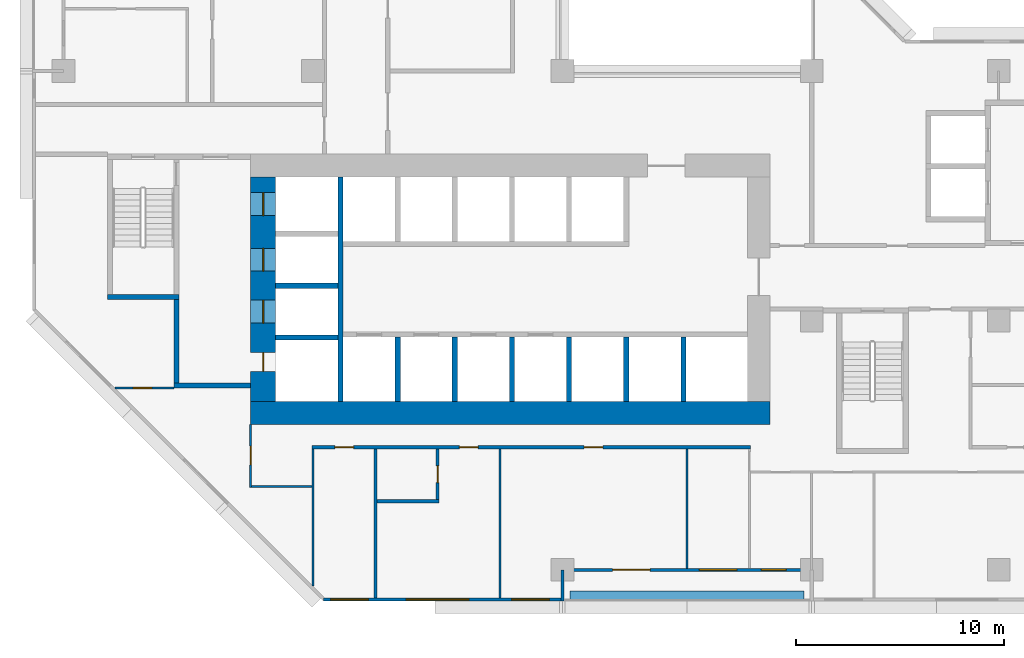
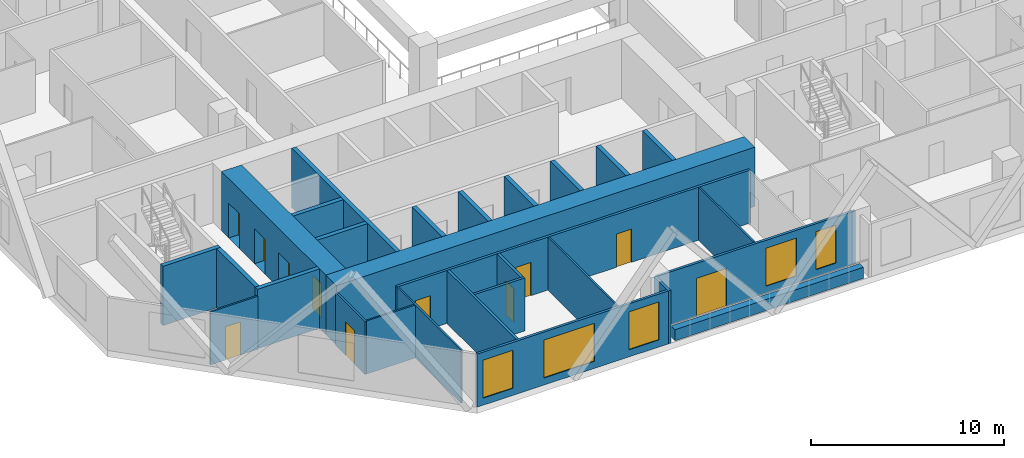
# One storey, part 4 of 16: 28 walls, 11 doors, 5 windows, 16 openings.
"""IFC4 building model written with IfcOpenShell, lengths in metres."""

import ifcopenshell
import ifcopenshell.guid

model = None  # the IFC model being written
_history = None  # IfcOwnerHistory: only IFC2X3 demands one
_inside = {}  # id of a spatial element -> (the spatial element, [elements in it])
_under = {}  # id of a project, library or spatial element -> (it, [spatial elements below it])
_declared = {}  # id of a project -> (the project, [libraries it declares])
_typed = {}  # id of a type object -> (the type object, [elements of that type])
_made_of = {}  # id of a material, layer set ... -> (it, [elements and type objects made of it])


def new_model(schema):
    """Start an empty IFC model of exactly this schema.

    Asked for "IFC4X3", IfcOpenShell would pick the latest addendum, in which some entities
    have other attributes; the version numbers below select the first issue.
    IFC2X3 requires an IfcOwnerHistory on every rooted entity: one is made here for all.
    """
    global model, _history
    if schema == "IFC4X3":
        model = ifcopenshell.file(schema_version=(4, 3, 0, 0))
    else:
        model = ifcopenshell.file(schema=schema)
    _inside.clear()
    _under.clear()
    _declared.clear()
    _typed.clear()
    _made_of.clear()
    _history = None
    if model.schema == "IFC2X3":
        org = make("IfcOrganization", Name="unknown")
        user = make(
            "IfcPersonAndOrganization",
            ThePerson=make("IfcPerson", FamilyName="unknown"),
            TheOrganization=org,
        )
        app = make(
            "IfcApplication",
            ApplicationDeveloper=org,
            Version="unknown",
            ApplicationFullName="unknown",
            ApplicationIdentifier="unknown",
        )
        _history = make(
            "IfcOwnerHistory",
            OwningUser=user,
            OwningApplication=app,
            ChangeAction="ADDED",
            CreationDate=0,
        )
    return model


def make(cls, **values):
    """One entity of the class cls with the attributes given. An attribute that is None is left unset."""
    return model.create_entity(
        cls, **{name: value for name, value in values.items() if value is not None}
    )


def rooted(cls, **values):
    """An entity with a GlobalId (a new one), such as an element, a storey or a relation."""
    return make(cls, GlobalId=ifcopenshell.guid.new(), OwnerHistory=_history, **values)


def si_unit(unit_type, name, prefix=None):
    """IfcSIUnit, for example si_unit("LENGTHUNIT", "METRE", prefix="MILLI")."""
    return make("IfcSIUnit", UnitType=unit_type, Prefix=prefix, Name=name)


def assignment(units):
    """IfcUnitAssignment: the units of a project."""
    return None if units is None else make("IfcUnitAssignment", Units=units)


def point(xyz):
    """IfcCartesianPoint."""
    return None if xyz is None else make("IfcCartesianPoint", Coordinates=xyz)


def direction(xyz):
    """IfcDirection."""
    return None if xyz is None else make("IfcDirection", DirectionRatios=xyz)


def frame(location, z_axis=None, x_axis=None):
    """IfcAxis2Placement3D, a coordinate frame: its origin and axes. An axis left out is left unset."""
    return make(
        "IfcAxis2Placement3D",
        Location=point(location),
        Axis=direction(z_axis),
        RefDirection=direction(x_axis),
    )


def frame_2d(location, x_axis=None):
    """IfcAxis2Placement2D, a coordinate frame in the plane: its origin and x axis."""
    return make(
        "IfcAxis2Placement2D", Location=point(location), RefDirection=direction(x_axis)
    )


def origin():
    """The frame at (0, 0, 0) with its axes left unset."""
    return frame((0.0, 0.0, 0.0))


def place(relative_to, where):
    """IfcLocalPlacement: puts the frame where relative to a parent placement (None: the world)."""
    return make(
        "IfcLocalPlacement", PlacementRelTo=relative_to, RelativePlacement=where
    )


def context(
    kind, dimensions, precision=None, world=None, true_north=None, identifier=None
):
    """IfcGeometricRepresentationContext, for example the 3D "Model" context."""
    return make(
        "IfcGeometricRepresentationContext",
        ContextIdentifier=identifier,
        ContextType=kind,
        CoordinateSpaceDimension=dimensions,
        Precision=precision,
        WorldCoordinateSystem=world,
        TrueNorth=true_north,
    )


def subcontext(parent, identifier, kind, view, scale=None):
    """IfcGeometricRepresentationSubContext, for example "Body" below "Model"."""
    return make(
        "IfcGeometricRepresentationSubContext",
        ContextIdentifier=identifier,
        ContextType=kind,
        ParentContext=parent,
        TargetScale=scale,
        TargetView=view,
    )


def project(units=None, contexts=None):
    """IfcProject with its units and contexts."""
    return rooted(
        "IfcProject",
        Name="project",
        RepresentationContexts=contexts,
        UnitsInContext=assignment(units),
    )


def spatial(cls, under=None, at=None, **own):
    """A site, building, storey or space (cls), placed at a placement, below another one or the project."""
    s = rooted(cls, ObjectPlacement=at, **own)
    if under is not None:
        _under.setdefault(under.id(), (under, []))[1].append(s)
    return s


def profile(cls, at=None, kind="AREA", **sizes):
    """A parametric profile (cls). Its sizes go by their IFC names, for example OverallWidth=200.0."""
    return make(cls, ProfileType=kind, Position=at, **sizes)


def rectangle(**sizes):
    """IfcRectangleProfileDef."""
    return profile("IfcRectangleProfileDef", **sizes)


def extrude(swept, where, along, depth):
    """IfcExtrudedAreaSolid: the profile swept, set in the frame where, extruded along a direction by depth."""
    return make(
        "IfcExtrudedAreaSolid",
        SweptArea=swept,
        Position=where,
        ExtrudedDirection=direction(along),
        Depth=depth,
    )


def shape(context_of_items, identifier, shape_type, items):
    """IfcShapeRepresentation: the items that make up one representation, for example the "Body"."""
    return make(
        "IfcShapeRepresentation",
        ContextOfItems=context_of_items,
        RepresentationIdentifier=identifier,
        RepresentationType=shape_type,
        Items=items,
    )


def material(Name=None, Category=None):
    """IfcMaterial."""
    return make("IfcMaterial", Name=Name, Category=Category)


def layer(
    of_material, thickness, ventilated=None, Name=None, Category=None, Priority=None
):
    """IfcMaterialLayer: one layer of a wall or slab, of a material (None: an air gap)."""
    return make(
        "IfcMaterialLayer",
        Material=of_material,
        LayerThickness=thickness,
        IsVentilated=ventilated,
        Name=Name,
        Category=Category,
        Priority=Priority,
    )


def layer_set(layers, Name=None):
    """IfcMaterialLayerSet."""
    return make("IfcMaterialLayerSet", MaterialLayers=layers, LayerSetName=Name)


def made_of(thing, what):
    """Note that an element or type object is made of a material, layer set ...; save() writes the relation."""
    if what is not None:
        _made_of.setdefault(what.id(), (what, []))[1].append(thing)
    return thing


def type_object(cls, material=None, **own):
    """A type object (cls), such as IfcWallType, which elements share."""
    return made_of(rooted(cls, **own), material)


def element(
    cls,
    number,
    at=None,
    inside=None,
    cuts=None,
    type_object=None,
    material=None,
    context=None,
    identifier="Body",
    shape_type=None,
    held_by="IfcProductDefinitionShape",
    body=None,
    shapes=None,
    **own,
):
    """One element of the class cls, such as IfcWall. Its Tag is "e" and its number.

    at: its placement. inside: the storey or other place that contains it. cuts: it is an
    opening in that element (IfcRelVoidsElement). A single representation is given by context,
    identifier, shape_type and body (its items); several are given by shapes. held_by: the class
    of the entity that holds the representations. save() writes the other relations.
    """
    e = rooted(cls, Tag="e%d" % number, ObjectPlacement=at, **own)
    if body is not None:
        shapes = [shape(context, identifier, shape_type, body)]
    if shapes is not None:
        e.Representation = make(held_by, Representations=shapes)
    if inside is not None:
        _inside.setdefault(inside.id(), (inside, []))[1].append(e)
    if cuts is not None:
        rooted(
            "IfcRelVoidsElement", RelatingBuildingElement=cuts, RelatedOpeningElement=e
        )
    if type_object is not None:
        _typed.setdefault(type_object.id(), (type_object, []))[1].append(e)
    return made_of(e, material)


def fill(opening, filler):
    """IfcRelFillsElement: the door or window that sits in an opening."""
    return rooted(
        "IfcRelFillsElement",
        RelatingOpeningElement=opening,
        RelatedBuildingElement=filler,
    )


def aggregate(whole, parts):
    """IfcRelAggregates: a whole, such as a stair, and the parts it consists of."""
    return rooted("IfcRelAggregates", RelatingObject=whole, RelatedObjects=parts)


def save(model, path):
    """Write the relations noted so far, then the file.

    IfcRelAggregates (storeys below a building ...), IfcRelContainedInSpatialStructure (elements
    in a storey), IfcRelDefinesByType, IfcRelAssociatesMaterial and IfcRelDeclares: one each for
    every whole, place, type object, material and project.
    """
    for whole, parts in _under.values():
        aggregate(whole, parts)
    for where, things in _inside.values():
        rooted(
            "IfcRelContainedInSpatialStructure",
            RelatedElements=things,
            RelatingStructure=where,
        )
    for kind, things in _typed.values():
        rooted("IfcRelDefinesByType", RelatedObjects=things, RelatingType=kind)
    for what, things in _made_of.values():
        rooted("IfcRelAssociatesMaterial", RelatedObjects=things, RelatingMaterial=what)
    for by, libraries in _declared.values():
        rooted("IfcRelDeclares", RelatingContext=by, RelatedDefinitions=libraries)
    model.write(path)


model = new_model("IFC4")

# Units and contexts
model_context = context("Model", 3, precision=1e-05, world=origin(), true_north=direction((0.0, 1.0)))
body_context = subcontext(model_context, "Body", "Model", "MODEL_VIEW")
ifc_project = project(units=[si_unit("LENGTHUNIT", "METRE"), si_unit("AREAUNIT", "SQUARE_METRE"), si_unit("VOLUMEUNIT", "CUBIC_METRE"), si_unit("PLANEANGLEUNIT", "RADIAN"), si_unit("MASSUNIT", "GRAM", prefix="KILO")], contexts=[model_context])

# Site, building, storey
site_placement = place(None, origin())
site = spatial("IfcSite", under=ifc_project, at=site_placement, CompositionType="ELEMENT")
building_placement = place(site_placement, origin())
building = spatial("IfcBuilding", under=site, at=building_placement, Name="Chenar Terraces", CompositionType="ELEMENT")
storey_placement = place(building_placement, frame((0.0, 0.0, 78.89990234375)))
storey = spatial("IfcBuildingStorey", under=building, at=storey_placement, Name="L17", CompositionType="ELEMENT", Elevation=78.89990234375)

# Wall
ifc_material_1 = material(Name="Concrete C70/85", Category="concrete")
ifc_layer_1 = layer(ifc_material_1, 1.10009765625)
ifc_layer_set_1 = layer_set([ifc_layer_1], Name="Concrete C70/85")
wall_type_1 = type_object("IfcWallType", Name="Core wall 1100 Concrete C70/85", PredefinedType="SHEAR", material=ifc_layer_set_1)
wall_1_placement = place(storey_placement, frame((9.0, 7.550048828125, 0.0), z_axis=(0.0, 0.0, 1.0), x_axis=(1.0, 0.0, 0.0)))
element("IfcWall", 1, at=wall_1_placement, inside=storey, type_object=wall_type_1, Name="Core wall S L17", PredefinedType="SHEAR", context=body_context, shape_type="SweptSolid", body=[
    extrude(rectangle(XDim=25.0, YDim=1.10009765625, at=frame_2d((12.5, 0.0))), origin(), (0.0, 0.0, 1.0), 3.75),
])

# Wall, openings, doors
ifc_material_2 = material(Name="Concrete C70/85", Category="concrete")
ifc_layer_2 = layer(ifc_material_2, 1.199951171875)
ifc_layer_set_2 = layer_set([ifc_layer_2], Name="Concrete C70/85")
wall_type_2 = type_object("IfcWallType", Name="Core wall 1200 Concrete C70/85", PredefinedType="SHEAR", material=ifc_layer_set_2)
wall_2_placement = place(storey_placement, frame((9.60009765625, 8.10009765625, 0.0), z_axis=(0.0, 0.0, 1.0), x_axis=(0.0, 1.0, 0.0)))
wall_2 = element("IfcWall", 2, at=wall_2_placement, inside=storey, type_object=wall_type_2, Name="Core wall W L17", PredefinedType="SHEAR", context=body_context, shape_type="SweptSolid", body=[
    extrude(rectangle(XDim=10.7998046875, YDim=1.199951171875, at=frame_2d((5.39990234375, 0.0))), origin(), (0.0, 0.0, 1.0), 3.75),
])
opening_1_placement = place(wall_2_placement, frame((3.77490234375, 0.0, 0.0)))
opening_1 = element("IfcOpeningElement", 3, at=opening_1_placement, cuts=wall_2, Name="Opening DL17-LD5", PredefinedType="OPENING", context=body_context, shape_type="SweptSolid", body=[
    extrude(rectangle(XDim=1.10009765625, YDim=2.199951171875, at=frame_2d((0.550048828125, 1.10009765625))), frame((0.0, 0.60986328125, 0.0), z_axis=(0.0, -1.0, 0.0), x_axis=(1.0, 0.0, 0.0)), (0.0, 0.0, 1.0), 1.219970703125),
])
opening_2_placement = place(wall_2_placement, frame((6.27490234375, 0.0, 0.0)))
opening_2 = element("IfcOpeningElement", 4, at=opening_2_placement, cuts=wall_2, Name="Opening DL17-LD6", PredefinedType="OPENING", context=body_context, shape_type="SweptSolid", body=[
    extrude(rectangle(XDim=1.10009765625, YDim=2.199951171875, at=frame_2d((0.550048828125, 1.10009765625))), frame((0.0, 0.60986328125, 0.0), z_axis=(0.0, -1.0, 0.0), x_axis=(1.0, 0.0, 0.0)), (0.0, 0.0, 1.0), 1.219970703125),
])
opening_3_placement = place(wall_2_placement, frame((8.949951171875, 0.0, 0.0)))
opening_3 = element("IfcOpeningElement", 5, at=opening_3_placement, cuts=wall_2, Name="Opening DL17-LD7", PredefinedType="OPENING", context=body_context, shape_type="SweptSolid", body=[
    extrude(rectangle(XDim=1.10009765625, YDim=2.199951171875, at=frame_2d((0.550048828125, 1.10009765625))), frame((0.0, 0.60986328125, 0.0), z_axis=(0.0, -1.0, 0.0), x_axis=(1.0, 0.0, 0.0)), (0.0, 0.0, 1.0), 1.219970703125),
])
opening_4_placement = place(wall_2_placement, frame((1.449951171875, 0.0, 0.0)))
opening_4 = element("IfcOpeningElement", 6, at=opening_4_placement, cuts=wall_2, Name="Opening DL17-C4", PredefinedType="OPENING", context=body_context, shape_type="SweptSolid", body=[
    extrude(rectangle(XDim=0.89990234375, YDim=2.10009765625, at=frame_2d((0.449951171875, 1.050048828125))), frame((0.0, 0.60986328125, 0.0), z_axis=(0.0, -1.0, 0.0), x_axis=(1.0, 0.0, 0.0)), (0.0, 0.0, 1.0), 1.219970703125),
])
ifc_material_3 = material(Name="Stainless steel", Category="steel")
door_type_1 = type_object("IfcDoorType", Name="Lift landing door 1100 x 2200 sliding", OperationType="DOUBLE_DOOR_SLIDING", PredefinedType="DOOR", material=ifc_material_3)
door_1_placement = place(opening_1_placement, origin())
door_1 = element("IfcDoor", 7, at=door_1_placement, inside=storey, type_object=door_type_1, Name="Landing door S1", OperationType="DOUBLE_DOOR_SLIDING", OverallHeight=2.199951171875, OverallWidth=1.10009765625, PredefinedType="DOOR", context=body_context, shape_type="SweptSolid", body=[
    extrude(rectangle(XDim=1.10009765625, YDim=2.199951171875, at=frame_2d((0.550048828125, 1.10009765625))), frame((0.0, 0.02490234375, 0.0), z_axis=(0.0, -1.0, 0.0), x_axis=(1.0, 0.0, 0.0)), (0.0, 0.0, 1.0), 0.050048828125),
])
fill(opening_1, door_1)
door_2_placement = place(opening_2_placement, origin())
door_2 = element("IfcDoor", 8, at=door_2_placement, inside=storey, type_object=door_type_1, Name="Landing door F1", OperationType="DOUBLE_DOOR_SLIDING", OverallHeight=2.199951171875, OverallWidth=1.10009765625, PredefinedType="DOOR", context=body_context, shape_type="SweptSolid", body=[
    extrude(rectangle(XDim=1.10009765625, YDim=2.199951171875, at=frame_2d((0.550048828125, 1.10009765625))), frame((0.0, 0.02490234375, 0.0), z_axis=(0.0, -1.0, 0.0), x_axis=(1.0, 0.0, 0.0)), (0.0, 0.0, 1.0), 0.050048828125),
])
fill(opening_2, door_2)
door_3_placement = place(opening_3_placement, origin())
door_3 = element("IfcDoor", 9, at=door_3_placement, inside=storey, type_object=door_type_1, Name="Landing door F2", OperationType="DOUBLE_DOOR_SLIDING", OverallHeight=2.199951171875, OverallWidth=1.10009765625, PredefinedType="DOOR", context=body_context, shape_type="SweptSolid", body=[
    extrude(rectangle(XDim=1.10009765625, YDim=2.199951171875, at=frame_2d((0.550048828125, 1.10009765625))), frame((0.0, 0.02490234375, 0.0), z_axis=(0.0, -1.0, 0.0), x_axis=(1.0, 0.0, 0.0)), (0.0, 0.0, 1.0), 0.050048828125),
])
fill(opening_3, door_3)
ifc_material_4 = material(Name="Steel-framed fire-resisting door leaf", Category="steel")
door_type_2 = type_object("IfcDoorType", Name="Riser fire door FD60 900 x 2100", OperationType="SINGLE_SWING_LEFT", PredefinedType="DOOR", material=ifc_material_4)
door_4_placement = place(opening_4_placement, frame((0.89990234375, 0.0, 0.0), z_axis=(0.0, 0.0, 1.0), x_axis=(-1.0, 0.0, 0.0)))
door_4 = element("IfcDoor", 10, at=door_4_placement, inside=storey, type_object=door_type_2, Name="Riser door DL17-C4", OperationType="SINGLE_SWING_RIGHT", OverallHeight=2.10009765625, OverallWidth=0.89990234375, PredefinedType="DOOR", context=body_context, shape_type="SweptSolid", body=[
    extrude(rectangle(XDim=0.89990234375, YDim=2.10009765625, at=frame_2d((0.449951171875, 1.050048828125))), frame((0.0, 0.02490234375, 0.0), z_axis=(0.0, -1.0, 0.0), x_axis=(1.0, 0.0, 0.0)), (0.0, 0.0, 1.0), 0.050048828125),
])
fill(opening_4, door_4)

# Walls
ifc_material_5 = material(Name="Concrete C70/85", Category="concrete")
ifc_layer_3 = layer(ifc_material_5, 0.25)
ifc_layer_set_3 = layer_set([ifc_layer_3], Name="Concrete C70/85")
wall_type_3 = type_object("IfcWallType", Name="Core wall 250 Concrete C70/85", PredefinedType="SHEAR", material=ifc_layer_set_3)
wall_3_placement = place(storey_placement, frame((13.324951171875, 8.10009765625, 0.0), z_axis=(0.0, 0.0, 1.0), x_axis=(0.0, 1.0, 0.0)))
element("IfcWall", 11, at=wall_3_placement, inside=storey, type_object=wall_type_3, Name="Core wall WI L17", PredefinedType="SHEAR", context=body_context, shape_type="SweptSolid", body=[
    extrude(rectangle(XDim=10.7998046875, YDim=0.25, at=frame_2d((5.39990234375, 0.0))), origin(), (0.0, 0.0, 1.0), 3.75),
])
for number, where, z_axis, x_axis, name in (
    (12, (10.199951171875, 11.175048828125, 0.0), (0.0, 0.0, 1.0), (1.0, 0.0, 0.0), "Core wall HW0 L17"),
    (13, (10.199951171875, 13.675048828125, 0.0), (0.0, 0.0, 1.0), (1.0, 0.0, 0.0), "Core wall HW1 L17"),
):
    element("IfcWall", number, at=place(storey_placement, frame(where, z_axis=z_axis, x_axis=x_axis)), inside=storey, type_object=wall_type_3, Name=name, PredefinedType="SHEAR", context=body_context, shape_type="SweptSolid", body=[
        extrude(rectangle(XDim=3.0, YDim=0.25, at=frame_2d((1.5, 0.0))), origin(), (0.0, 0.0, 1.0), 3.75),
    ])
for number, where, z_axis, x_axis, name in (
    (14, (16.074951171875, 8.10009765625, 0.0), (0.0, 0.0, 1.0), (0.0, 1.0, 0.0), "Core wall SS0 L17"),
    (15, (18.824951171875, 8.10009765625, 0.0), (0.0, 0.0, 1.0), (0.0, 1.0, 0.0), "Core wall SS1 L17"),
    (16, (21.574951171875, 8.10009765625, 0.0), (0.0, 0.0, 1.0), (0.0, 1.0, 0.0), "Core wall SS2 L17"),
    (17, (24.324951171875, 8.10009765625, 0.0), (0.0, 0.0, 1.0), (0.0, 1.0, 0.0), "Core wall SS3 L17"),
    (18, (27.074951171875, 8.10009765625, 0.0), (0.0, 0.0, 1.0), (0.0, 1.0, 0.0), "Core wall SS4 L17"),
    (19, (29.824951171875, 8.10009765625, 0.0), (0.0, 0.0, 1.0), (0.0, 1.0, 0.0), "Core wall SS5 L17"),
):
    element("IfcWall", number, at=place(storey_placement, frame(where, z_axis=z_axis, x_axis=x_axis)), inside=storey, type_object=wall_type_3, Name=name, PredefinedType="SHEAR", context=body_context, shape_type="SweptSolid", body=[
        extrude(rectangle(XDim=3.099853515625, YDim=0.25, at=frame_2d((1.5498046875, 0.0))), origin(), (0.0, 0.0, 1.0), 3.75),
    ])
wall_4_placement = place(storey_placement, frame((2.10009765625, 13.125, 0.0), z_axis=(0.0, 0.0, 1.0), x_axis=(1.0, 0.0, 0.0)))
element("IfcWall", 20, at=wall_4_placement, inside=storey, type_object=wall_type_3, Name="Core wall ST1_S L17", PredefinedType="SHEAR", context=body_context, shape_type="SweptSolid", body=[
    extrude(rectangle(XDim=3.449951171875, YDim=0.25, at=frame_2d((1.72509765625, 0.0))), origin(), (0.0, 0.0, 1.0), 3.75),
])
wall_5_placement = place(storey_placement, frame((5.300048828125, 8.875, 0.0), z_axis=(0.0, 0.0, 1.0), x_axis=(1.0, 0.0, 0.0)))
element("IfcWall", 21, at=wall_5_placement, inside=storey, type_object=wall_type_3, Name="Core wall FFL_S L17", PredefinedType="SHEAR", context=body_context, shape_type="SweptSolid", body=[
    extrude(rectangle(XDim=3.699951171875, YDim=0.25, at=frame_2d((1.85009765625, 0.0))), origin(), (0.0, 0.0, 1.0), 3.75),
])
wall_6_placement = place(storey_placement, frame((5.425048828125, 9.0, 0.0), z_axis=(0.0, 0.0, 1.0), x_axis=(0.0, 1.0, 0.0)))
element("IfcWall", 22, at=wall_6_placement, inside=storey, type_object=wall_type_3, Name="Core wall FFL_W L17", PredefinedType="SHEAR", context=body_context, shape_type="SweptSolid", body=[
    extrude(rectangle(XDim=4.0, YDim=0.25, at=frame_2d((2.0, 0.0))), origin(), (0.0, 0.0, 1.0), 3.75),
])

# Wall, openings, windows
ifc_material_6 = material(Name="Aluminium framed glazing", Category="aluminium")
ifc_layer_4 = layer(ifc_material_6, 0.14990234375)
ifc_layer_set_4 = layer_set([ifc_layer_4], Name="Aluminium framed glazing")
wall_type_4 = type_object("IfcWallType", Name="Glazed flush facade wall 150", PredefinedType="SOLIDWALL", material=ifc_layer_set_4)
wall_7_placement = place(storey_placement, frame((12.5, -1.425048828125, 0.0), z_axis=(0.0, 0.0, 1.0), x_axis=(1.0, 0.0, 0.0)))
wall_7 = element("IfcWall", 23, at=wall_7_placement, inside=storey, type_object=wall_type_4, Name="Glazed flush facade wall", PredefinedType="SOLIDWALL", context=body_context, shape_type="SweptSolid", body=[
    extrude(rectangle(XDim=11.425048828125, YDim=0.14990234375, at=frame_2d((5.71240234375, 0.0))), origin(), (0.0, 0.0, 1.0), 3.35009765625),
])
opening_5_placement = place(wall_7_placement, frame((0.35009765625, 0.0, 0.449951171875)))
opening_5 = element("IfcOpeningElement", 24, at=opening_5_placement, cuts=wall_7, Name="Opening W180x240", PredefinedType="OPENING", context=body_context, shape_type="SweptSolid", body=[
    extrude(rectangle(XDim=1.800048828125, YDim=2.39990234375, at=frame_2d((0.89990234375, 1.199951171875))), frame((0.0, 0.0849609375, 0.0), z_axis=(0.0, -1.0, 0.0), x_axis=(1.0, 0.0, 0.0)), (0.0, 0.0, 1.0), 0.169921875),
])
opening_6_placement = place(wall_7_placement, frame((4.0, 0.0, 0.449951171875)))
opening_6 = element("IfcOpeningElement", 25, at=opening_6_placement, cuts=wall_7, Name="Opening W300x240", PredefinedType="OPENING", context=body_context, shape_type="SweptSolid", body=[
    extrude(rectangle(XDim=3.0, YDim=2.39990234375, at=frame_2d((1.5, 1.199951171875))), frame((0.0, 0.0849609375, 0.0), z_axis=(0.0, -1.0, 0.0), x_axis=(1.0, 0.0, 0.0)), (0.0, 0.0, 1.0), 0.169921875),
])
opening_7_placement = place(wall_7_placement, frame((9.0625, 0.0, 0.449951171875)))
opening_7 = element("IfcOpeningElement", 26, at=opening_7_placement, cuts=wall_7, Name="Opening W180x240", PredefinedType="OPENING", context=body_context, shape_type="SweptSolid", body=[
    extrude(rectangle(XDim=1.800048828125, YDim=2.39990234375, at=frame_2d((0.89990234375, 1.199951171875))), frame((0.0, 0.0849609375, 0.0), z_axis=(0.0, -1.0, 0.0), x_axis=(1.0, 0.0, 0.0)), (0.0, 0.0, 1.0), 0.169921875),
])
ifc_material_7 = material(Name="Low emissivity double glazing, aluminium frame", Category="aluminium")
window_type_1 = type_object("IfcWindowType", Name="Fixed light 1800 x 2400", PartitioningType="SINGLE_PANEL", PredefinedType="WINDOW", material=ifc_material_7)
window_1_placement = place(opening_5_placement, origin())
window_1 = element("IfcWindow", 27, at=window_1_placement, inside=storey, type_object=window_type_1, Name="Window", OverallHeight=2.39990234375, OverallWidth=1.800048828125, PartitioningType="SINGLE_PANEL", PredefinedType="WINDOW", context=body_context, shape_type="SweptSolid", body=[
    extrude(rectangle(XDim=1.800048828125, YDim=2.39990234375, at=frame_2d((0.89990234375, 1.199951171875))), frame((0.0, 0.030029296875, 0.0), z_axis=(0.0, -1.0, 0.0), x_axis=(1.0, 0.0, 0.0)), (0.0, 0.0, 1.0), 0.06005859375),
])
fill(opening_5, window_1)
window_2_placement = place(opening_7_placement, origin())
window_2 = element("IfcWindow", 28, at=window_2_placement, inside=storey, type_object=window_type_1, Name="Window", OverallHeight=2.39990234375, OverallWidth=1.800048828125, PartitioningType="SINGLE_PANEL", PredefinedType="WINDOW", context=body_context, shape_type="SweptSolid", body=[
    extrude(rectangle(XDim=1.800048828125, YDim=2.39990234375, at=frame_2d((0.89990234375, 1.199951171875))), frame((0.0, 0.030029296875, 0.0), z_axis=(0.0, -1.0, 0.0), x_axis=(1.0, 0.0, 0.0)), (0.0, 0.0, 1.0), 0.06005859375),
])
fill(opening_7, window_2)
ifc_material_8 = material(Name="Low emissivity double glazing, aluminium frame", Category="aluminium")
window_type_2 = type_object("IfcWindowType", Name="Fixed light 3000 x 2400", PartitioningType="SINGLE_PANEL", PredefinedType="WINDOW", material=ifc_material_8)
window_3_placement = place(opening_6_placement, origin())
window_3 = element("IfcWindow", 29, at=window_3_placement, inside=storey, type_object=window_type_2, Name="Window", OverallHeight=2.39990234375, OverallWidth=3.0, PartitioningType="SINGLE_PANEL", PredefinedType="WINDOW", context=body_context, shape_type="SweptSolid", body=[
    extrude(rectangle(XDim=3.0, YDim=2.39990234375, at=frame_2d((1.5, 1.199951171875))), frame((0.0, 0.030029296875, 0.0), z_axis=(0.0, -1.0, 0.0), x_axis=(1.0, 0.0, 0.0)), (0.0, 0.0, 1.0), 0.06005859375),
])
fill(opening_6, window_3)

# Wall, openings, windows, door
ifc_material_9 = material(Name="Aluminium framed glazing", Category="aluminium")
ifc_layer_5 = layer(ifc_material_9, 0.14990234375)
ifc_layer_set_5 = layer_set([ifc_layer_5], Name="Aluminium framed glazing")
wall_type_5 = type_object("IfcWallType", Name="Glazed loggia back wall 150", PredefinedType="SOLIDWALL", material=ifc_layer_set_5)
wall_8_placement = place(storey_placement, frame((24.074951171875, 0.0, 0.0), z_axis=(0.0, 0.0, 1.0), x_axis=(1.0, 0.0, 0.0)))
wall_8 = element("IfcWall", 30, at=wall_8_placement, inside=storey, type_object=wall_type_5, Name="Glazed loggia back wall", PredefinedType="SOLIDWALL", context=body_context, shape_type="SweptSolid", body=[
    extrude(rectangle(XDim=11.85009765625, YDim=0.14990234375, at=frame_2d((5.925048828125, 0.0))), origin(), (0.0, 0.0, 1.0), 3.35009765625),
])
opening_8_placement = place(wall_8_placement, frame((2.35009765625, 0.0, 0.0)))
opening_8 = element("IfcOpeningElement", 31, at=opening_8_placement, cuts=wall_8, Name="Opening DL17-G5", PredefinedType="OPENING", context=body_context, shape_type="SweptSolid", body=[
    extrude(rectangle(XDim=1.800048828125, YDim=2.39990234375, at=frame_2d((0.89990234375, 1.199951171875))), frame((0.0, 0.0849609375, 0.0), z_axis=(0.0, -1.0, 0.0), x_axis=(1.0, 0.0, 0.0)), (0.0, 0.0, 1.0), 0.169921875),
])
opening_9_placement = place(wall_8_placement, frame((6.52490234375, 0.0, 0.449951171875)))
opening_9 = element("IfcOpeningElement", 32, at=opening_9_placement, cuts=wall_8, Name="Opening W180x240", PredefinedType="OPENING", context=body_context, shape_type="SweptSolid", body=[
    extrude(rectangle(XDim=1.800048828125, YDim=2.39990234375, at=frame_2d((0.89990234375, 1.199951171875))), frame((0.0, 0.0849609375, 0.0), z_axis=(0.0, -1.0, 0.0), x_axis=(1.0, 0.0, 0.0)), (0.0, 0.0, 1.0), 0.169921875),
])
opening_10_placement = place(wall_8_placement, frame((9.5, 0.0, 0.449951171875)))
opening_10 = element("IfcOpeningElement", 33, at=opening_10_placement, cuts=wall_8, Name="Opening W120x240", PredefinedType="OPENING", context=body_context, shape_type="SweptSolid", body=[
    extrude(rectangle(XDim=1.199951171875, YDim=2.39990234375, at=frame_2d((0.60009765625, 1.199951171875))), frame((0.0, 0.0849609375, 0.0), z_axis=(0.0, -1.0, 0.0), x_axis=(1.0, 0.0, 0.0)), (0.0, 0.0, 1.0), 0.169921875),
])
ifc_material_10 = material(Name="Low emissivity double glazing, aluminium frame", Category="aluminium")
window_type_3 = type_object("IfcWindowType", Name="Fixed light 1200 x 2400", PartitioningType="SINGLE_PANEL", PredefinedType="WINDOW", material=ifc_material_10)
window_4_placement = place(opening_10_placement, origin())
window_4 = element("IfcWindow", 34, at=window_4_placement, inside=storey, type_object=window_type_3, Name="Window", OverallHeight=2.39990234375, OverallWidth=1.199951171875, PartitioningType="SINGLE_PANEL", PredefinedType="WINDOW", context=body_context, shape_type="SweptSolid", body=[
    extrude(rectangle(XDim=1.199951171875, YDim=2.39990234375, at=frame_2d((0.60009765625, 1.199951171875))), frame((0.0, 0.030029296875, 0.0), z_axis=(0.0, -1.0, 0.0), x_axis=(1.0, 0.0, 0.0)), (0.0, 0.0, 1.0), 0.06005859375),
])
fill(opening_10, window_4)
window_5_placement = place(opening_9_placement, origin())
window_5 = element("IfcWindow", 35, at=window_5_placement, inside=storey, type_object=window_type_1, Name="Window", OverallHeight=2.39990234375, OverallWidth=1.800048828125, PartitioningType="SINGLE_PANEL", PredefinedType="WINDOW", context=body_context, shape_type="SweptSolid", body=[
    extrude(rectangle(XDim=1.800048828125, YDim=2.39990234375, at=frame_2d((0.89990234375, 1.199951171875))), frame((0.0, 0.030029296875, 0.0), z_axis=(0.0, -1.0, 0.0), x_axis=(1.0, 0.0, 0.0)), (0.0, 0.0, 1.0), 0.06005859375),
])
fill(opening_9, window_5)
ifc_material_11 = material(Name="Low emissivity double glazing, aluminium frame", Category="aluminium")
door_type_3 = type_object("IfcDoorType", Name="Loggia glazed double door 1800 x 2400", OperationType="DOUBLE_DOOR_SINGLE_SWING", PredefinedType="DOOR", material=ifc_material_11)
door_5_placement = place(opening_8_placement, frame((1.800048828125, 0.0, 0.0), z_axis=(0.0, 0.0, 1.0), x_axis=(-1.0, 0.0, 0.0)))
door_5 = element("IfcDoor", 36, at=door_5_placement, inside=storey, type_object=door_type_3, Name="Loggia glazed door", OperationType="DOUBLE_DOOR_SINGLE_SWING", OverallHeight=2.39990234375, OverallWidth=1.800048828125, PredefinedType="DOOR", context=body_context, shape_type="SweptSolid", body=[
    extrude(rectangle(XDim=1.800048828125, YDim=2.39990234375, at=frame_2d((0.89990234375, 1.199951171875))), frame((0.0, 0.02490234375, 0.0), z_axis=(0.0, -1.0, 0.0), x_axis=(1.0, 0.0, 0.0)), (0.0, 0.0, 1.0), 0.050048828125),
])
fill(opening_8, door_5)

# Wall, opening, door
ifc_material_12 = material(Name="Gypsum board on steel studs", Category="steel")
ifc_layer_6 = layer(ifc_material_12, 0.10009765625)
ifc_layer_set_6 = layer_set([ifc_layer_6], Name="Gypsum board on steel studs")
wall_type_6 = type_object("IfcWallType", Name="Gypsum partition 100", PredefinedType="PARTITIONING", material=ifc_layer_set_6)
wall_9_placement = place(storey_placement, frame((2.4609375, 8.75, 0.0), z_axis=(0.0, 0.0, 1.0), x_axis=(1.0, 0.0, 0.0)))
wall_9 = element("IfcWall", 37, at=wall_9_placement, inside=storey, type_object=wall_type_6, Name="Partition L17-011", PredefinedType="PARTITIONING", context=body_context, shape_type="SweptSolid", body=[
    extrude(rectangle(XDim=2.839111328125, YDim=0.10009765625, at=frame_2d((1.41943359375, 0.0))), origin(), (0.0, 0.0, 1.0), 3.35009765625),
])
opening_11_placement = place(wall_9_placement, frame((0.888916015625, 0.0, 0.0)))
opening_11 = element("IfcOpeningElement", 38, at=opening_11_placement, cuts=wall_9, Name="Opening DL17-63", PredefinedType="OPENING", context=body_context, shape_type="SweptSolid", body=[
    extrude(rectangle(XDim=0.89990234375, YDim=2.10009765625, at=frame_2d((0.449951171875, 1.050048828125))), frame((0.0, 0.06005859375, 0.0), z_axis=(0.0, -1.0, 0.0), x_axis=(1.0, 0.0, 0.0)), (0.0, 0.0, 1.0), 0.1201171875),
])
ifc_material_13 = material(Name="Veneered timber door leaf", Category="wood")
door_type_4 = type_object("IfcDoorType", Name="Door 900 x 2100", OperationType="SINGLE_SWING_LEFT", PredefinedType="DOOR", material=ifc_material_13)
door_6_placement = place(opening_11_placement, frame((0.89990234375, 0.0, 0.0), z_axis=(0.0, 0.0, 1.0), x_axis=(-1.0, 0.0, 0.0)))
door_6 = element("IfcDoor", 39, at=door_6_placement, inside=storey, type_object=door_type_4, Name="Door DL17-63", OperationType="SINGLE_SWING_RIGHT", OverallHeight=2.10009765625, OverallWidth=0.89990234375, PredefinedType="DOOR", context=body_context, shape_type="SweptSolid", body=[
    extrude(rectangle(XDim=0.89990234375, YDim=2.10009765625, at=frame_2d((0.449951171875, 1.050048828125))), frame((0.0, 0.02490234375, 0.0), z_axis=(0.0, -1.0, 0.0), x_axis=(1.0, 0.0, 0.0)), (0.0, 0.0, 1.0), 0.050048828125),
])
fill(opening_11, door_6)

wall_10_placement = place(storey_placement, frame((9.0, 3.949951171875, 0.0), z_axis=(0.0, 0.0, 1.0), x_axis=(0.0, 1.0, 0.0)))
wall_10 = element("IfcWall", 40, at=wall_10_placement, inside=storey, type_object=wall_type_6, Name="Partition L17-030", PredefinedType="PARTITIONING", context=body_context, shape_type="SweptSolid", body=[
    extrude(rectangle(XDim=3.050048828125, YDim=0.10009765625, at=frame_2d((1.52490234375, 0.0))), origin(), (0.0, 0.0, 1.0), 3.35009765625),
])
opening_12_placement = place(wall_10_placement, frame((1.10009765625, 0.0, 0.0)))
opening_12 = element("IfcOpeningElement", 41, at=opening_12_placement, cuts=wall_10, Name="Opening DL17-62", PredefinedType="OPENING", context=body_context, shape_type="SweptSolid", body=[
    extrude(rectangle(XDim=0.89990234375, YDim=2.10009765625, at=frame_2d((0.449951171875, 1.050048828125))), frame((0.0, 0.06005859375, 0.0), z_axis=(0.0, -1.0, 0.0), x_axis=(1.0, 0.0, 0.0)), (0.0, 0.0, 1.0), 0.1201171875),
])
door_7_placement = place(opening_12_placement, origin())
door_7 = element("IfcDoor", 42, at=door_7_placement, inside=storey, type_object=door_type_4, Name="Door DL17-62", OperationType="SINGLE_SWING_LEFT", OverallHeight=2.10009765625, OverallWidth=0.89990234375, PredefinedType="DOOR", context=body_context, shape_type="SweptSolid", body=[
    extrude(rectangle(XDim=0.89990234375, YDim=2.10009765625, at=frame_2d((0.449951171875, 1.050048828125))), frame((0.0, 0.02490234375, 0.0), z_axis=(0.0, -1.0, 0.0), x_axis=(1.0, 0.0, 0.0)), (0.0, 0.0, 1.0), 0.050048828125),
])
fill(opening_12, door_7)

# Walls
wall_11_placement = place(storey_placement, frame((9.050048828125, 4.0, 0.0), z_axis=(0.0, 0.0, 1.0), x_axis=(1.0, 0.0, 0.0)))
element("IfcWall", 43, at=wall_11_placement, inside=storey, type_object=wall_type_6, Name="Partition L17-031", PredefinedType="PARTITIONING", context=body_context, shape_type="SweptSolid", body=[
    extrude(rectangle(XDim=2.89990234375, YDim=0.10009765625, at=frame_2d((1.449951171875, 0.0))), origin(), (0.0, 0.0, 1.0), 3.35009765625),
])
wall_12_placement = place(storey_placement, frame((12.0, -0.787841796875, 0.0), z_axis=(0.0, 0.0, 1.0), x_axis=(0.0, 1.0, 0.0)))
element("IfcWall", 44, at=wall_12_placement, inside=storey, type_object=wall_type_6, Name="Partition L17-033", PredefinedType="PARTITIONING", context=body_context, shape_type="SweptSolid", body=[
    extrude(rectangle(XDim=6.61279296875, YDim=0.10009765625, at=frame_2d((3.306396484375, 0.0))), origin(), (0.0, 0.0, 1.0), 3.35009765625),
])
wall_13_placement = place(storey_placement, frame((21.0, -1.35009765625, 0.0), z_axis=(0.0, 0.0, 1.0), x_axis=(0.0, 1.0, 0.0)))
element("IfcWall", 45, at=wall_13_placement, inside=storey, type_object=wall_type_6, Name="Partition L17-057", PredefinedType="PARTITIONING", context=body_context, shape_type="SweptSolid", body=[
    extrude(rectangle(XDim=7.175048828125, YDim=0.10009765625, at=frame_2d((3.58740234375, 0.0))), origin(), (0.0, 0.0, 1.0), 3.35009765625),
])
wall_14_placement = place(storey_placement, frame((30.0, 0.073974609375, 0.0), z_axis=(0.0, 0.0, 1.0), x_axis=(0.0, 1.0, 0.0)))
element("IfcWall", 46, at=wall_14_placement, inside=storey, type_object=wall_type_6, Name="Partition L17-059", PredefinedType="PARTITIONING", context=body_context, shape_type="SweptSolid", body=[
    extrude(rectangle(XDim=5.7509765625, YDim=0.10009765625, at=frame_2d((2.87548828125, 0.0))), origin(), (0.0, 0.0, 1.0), 3.35009765625),
])
ifc_material_14 = material(Name="Terracotta cladding on insulated backing", Category="masonry")
ifc_layer_7 = layer(ifc_material_14, 0.14990234375)
ifc_layer_set_7 = layer_set([ifc_layer_7], Name="Terracotta cladding on insulated backing")
wall_type_7 = type_object("IfcWallType", Name="Loggia return wall 150", PredefinedType="SOLIDWALL", material=ifc_layer_set_7)
wall_15_placement = place(storey_placement, frame((24.0, -1.5, 0.0), z_axis=(0.0, 0.0, 1.0), x_axis=(0.0, 1.0, 0.0)))
element("IfcWall", 47, at=wall_15_placement, inside=storey, type_object=wall_type_7, Name="Loggia return wall", PredefinedType="SOLIDWALL", context=body_context, shape_type="SweptSolid", body=[
    extrude(rectangle(XDim=1.5, YDim=0.14990234375, at=frame_2d((0.75, 0.0))), origin(), (0.0, 0.0, 1.0), 3.35009765625),
])
ifc_material_15 = material(Name="GRP planter trough")
ifc_layer_8 = layer(ifc_material_15, 0.39990234375)
ifc_layer_set_8 = layer_set([ifc_layer_8], Name="GRP planter trough")
wall_type_8 = type_object("IfcWallType", Name="Vertical greenery planter 400", PredefinedType="SOLIDWALL", material=ifc_layer_set_8)
wall_16_placement = place(storey_placement, frame((24.375, -1.22900390625, 0.0), z_axis=(0.0, 0.0, 1.0), x_axis=(1.0, 0.0, 0.0)))
element("IfcWall", 48, at=wall_16_placement, inside=storey, type_object=wall_type_8, Name="Vertical greenery planter", PredefinedType="SOLIDWALL", context=body_context, shape_type="SweptSolid", body=[
    extrude(rectangle(XDim=11.25, YDim=0.39990234375, at=frame_2d((5.625, 0.0))), origin(), (0.0, 0.0, 1.0), 0.7001953125),
])

# Wall, openings, doors
ifc_material_16 = material(Name="Moisture-resistant gypsum board on steel studs", Category="steel")
ifc_layer_9 = layer(ifc_material_16, 0.14990234375)
ifc_layer_set_9 = layer_set([ifc_layer_9], Name="Moisture-resistant gypsum board on steel studs")
wall_type_9 = type_object("IfcWallType", Name="Wet-room partition 150", PredefinedType="PARTITIONING", material=ifc_layer_set_9)
wall_17_placement = place(storey_placement, frame((11.949951171875, 5.89990234375, 0.0), z_axis=(0.0, 0.0, 1.0), x_axis=(1.0, 0.0, 0.0)))
wall_17 = element("IfcWall", 49, at=wall_17_placement, inside=storey, type_object=wall_type_9, Name="Partition L17-032", PredefinedType="PARTITIONING", context=body_context, shape_type="SweptSolid", body=[
    extrude(rectangle(XDim=21.10009765625, YDim=0.14990234375, at=frame_2d((10.550048828125, 0.0))), origin(), (0.0, 0.0, 1.0), 3.35009765625),
])
opening_13_placement = place(wall_17_placement, frame((1.10009765625, 0.0, 0.0)))
opening_13 = element("IfcOpeningElement", 50, at=opening_13_placement, cuts=wall_17, Name="Opening DL17-58", PredefinedType="OPENING", context=body_context, shape_type="SweptSolid", body=[
    extrude(rectangle(XDim=0.89990234375, YDim=2.10009765625, at=frame_2d((0.449951171875, 1.050048828125))), frame((0.0, 0.0849609375, 0.0), z_axis=(0.0, -1.0, 0.0), x_axis=(1.0, 0.0, 0.0)), (0.0, 0.0, 1.0), 0.169921875),
])
opening_14_placement = place(wall_17_placement, frame((7.10009765625, 0.0, 0.0)))
opening_14 = element("IfcOpeningElement", 51, at=opening_14_placement, cuts=wall_17, Name="Opening DL17-64", PredefinedType="OPENING", context=body_context, shape_type="SweptSolid", body=[
    extrude(rectangle(XDim=0.89990234375, YDim=2.10009765625, at=frame_2d((0.449951171875, 1.050048828125))), frame((0.0, 0.0849609375, 0.0), z_axis=(0.0, -1.0, 0.0), x_axis=(1.0, 0.0, 0.0)), (0.0, 0.0, 1.0), 0.169921875),
])
opening_15_placement = place(wall_17_placement, frame((13.10009765625, 0.0, 0.0)))
opening_15 = element("IfcOpeningElement", 52, at=opening_15_placement, cuts=wall_17, Name="Opening DL17-68", PredefinedType="OPENING", context=body_context, shape_type="SweptSolid", body=[
    extrude(rectangle(XDim=0.89990234375, YDim=2.10009765625, at=frame_2d((0.449951171875, 1.050048828125))), frame((0.0, 0.0849609375, 0.0), z_axis=(0.0, -1.0, 0.0), x_axis=(1.0, 0.0, 0.0)), (0.0, 0.0, 1.0), 0.169921875),
])
door_8_placement = place(opening_13_placement, frame((0.89990234375, 0.0, 0.0), z_axis=(0.0, 0.0, 1.0), x_axis=(-1.0, 0.0, 0.0)))
door_8 = element("IfcDoor", 53, at=door_8_placement, inside=storey, type_object=door_type_4, Name="Door DL17-58", OperationType="SINGLE_SWING_RIGHT", OverallHeight=2.10009765625, OverallWidth=0.89990234375, PredefinedType="DOOR", context=body_context, shape_type="SweptSolid", body=[
    extrude(rectangle(XDim=0.89990234375, YDim=2.10009765625, at=frame_2d((0.449951171875, 1.050048828125))), frame((0.0, 0.02490234375, 0.0), z_axis=(0.0, -1.0, 0.0), x_axis=(1.0, 0.0, 0.0)), (0.0, 0.0, 1.0), 0.050048828125),
])
fill(opening_13, door_8)
door_9_placement = place(opening_14_placement, frame((0.89990234375, 0.0, 0.0), z_axis=(0.0, 0.0, 1.0), x_axis=(-1.0, 0.0, 0.0)))
door_9 = element("IfcDoor", 54, at=door_9_placement, inside=storey, type_object=door_type_4, Name="Door DL17-64", OperationType="SINGLE_SWING_RIGHT", OverallHeight=2.10009765625, OverallWidth=0.89990234375, PredefinedType="DOOR", context=body_context, shape_type="SweptSolid", body=[
    extrude(rectangle(XDim=0.89990234375, YDim=2.10009765625, at=frame_2d((0.449951171875, 1.050048828125))), frame((0.0, 0.02490234375, 0.0), z_axis=(0.0, -1.0, 0.0), x_axis=(1.0, 0.0, 0.0)), (0.0, 0.0, 1.0), 0.050048828125),
])
fill(opening_14, door_9)
door_10_placement = place(opening_15_placement, frame((0.89990234375, 0.0, 0.0), z_axis=(0.0, 0.0, 1.0), x_axis=(-1.0, 0.0, 0.0)))
door_10 = element("IfcDoor", 55, at=door_10_placement, inside=storey, type_object=door_type_4, Name="Door DL17-68", OperationType="SINGLE_SWING_RIGHT", OverallHeight=2.10009765625, OverallWidth=0.89990234375, PredefinedType="DOOR", context=body_context, shape_type="SweptSolid", body=[
    extrude(rectangle(XDim=0.89990234375, YDim=2.10009765625, at=frame_2d((0.449951171875, 1.050048828125))), frame((0.0, 0.02490234375, 0.0), z_axis=(0.0, -1.0, 0.0), x_axis=(1.0, 0.0, 0.0)), (0.0, 0.0, 1.0), 0.050048828125),
])
fill(opening_15, door_10)

# Walls
wall_18_placement = place(storey_placement, frame((15.0, -1.35107421875, 0.0), z_axis=(0.0, 0.0, 1.0), x_axis=(0.0, 1.0, 0.0)))
element("IfcWall", 56, at=wall_18_placement, inside=storey, type_object=wall_type_9, Name="Partition L17-035", PredefinedType="PARTITIONING", context=body_context, shape_type="SweptSolid", body=[
    extrude(rectangle(XDim=7.176025390625, YDim=0.14990234375, at=frame_2d((3.587890625, 0.0))), origin(), (0.0, 0.0, 1.0), 3.35009765625),
])
wall_19_placement = place(storey_placement, frame((15.074951171875, 3.300048828125, 0.0), z_axis=(0.0, 0.0, 1.0), x_axis=(1.0, 0.0, 0.0)))
element("IfcWall", 57, at=wall_19_placement, inside=storey, type_object=wall_type_9, Name="Partition L17-036", PredefinedType="PARTITIONING", context=body_context, shape_type="SweptSolid", body=[
    extrude(rectangle(XDim=3.0, YDim=0.14990234375, at=frame_2d((1.5, 0.0))), origin(), (0.0, 0.0, 1.0), 3.35009765625),
])

# Wall, opening, door
wall_20_placement = place(storey_placement, frame((18.0, 3.375, 0.0), z_axis=(0.0, 0.0, 1.0), x_axis=(0.0, 1.0, 0.0)))
wall_20 = element("IfcWall", 58, at=wall_20_placement, inside=storey, type_object=wall_type_9, Name="Partition L17-048", PredefinedType="PARTITIONING", context=body_context, shape_type="SweptSolid", body=[
    extrude(rectangle(XDim=2.449951171875, YDim=0.14990234375, at=frame_2d((1.22509765625, 0.0))), origin(), (0.0, 0.0, 1.0), 3.35009765625),
])
opening_16_placement = place(wall_20_placement, frame((0.824951171875, 0.0, 0.0)))
opening_16 = element("IfcOpeningElement", 59, at=opening_16_placement, cuts=wall_20, Name="Opening DL17-65", PredefinedType="OPENING", context=body_context, shape_type="SweptSolid", body=[
    extrude(rectangle(XDim=0.800048828125, YDim=2.10009765625, at=frame_2d((0.39990234375, 1.050048828125))), frame((0.0, 0.0849609375, 0.0), z_axis=(0.0, -1.0, 0.0), x_axis=(1.0, 0.0, 0.0)), (0.0, 0.0, 1.0), 0.169921875),
])
ifc_material_17 = material(Name="Veneered timber door leaf", Category="wood")
door_type_5 = type_object("IfcDoorType", Name="Door 800 x 2100", OperationType="SINGLE_SWING_LEFT", PredefinedType="DOOR", material=ifc_material_17)
door_11_placement = place(opening_16_placement, origin())
door_11 = element("IfcDoor", 60, at=door_11_placement, inside=storey, type_object=door_type_5, Name="Door DL17-65", OperationType="SINGLE_SWING_RIGHT", OverallHeight=2.10009765625, OverallWidth=0.800048828125, PredefinedType="DOOR", context=body_context, shape_type="SweptSolid", body=[
    extrude(rectangle(XDim=0.800048828125, YDim=2.10009765625, at=frame_2d((0.39990234375, 1.050048828125))), frame((0.0, 0.02490234375, 0.0), z_axis=(0.0, -1.0, 0.0), x_axis=(1.0, 0.0, 0.0)), (0.0, 0.0, 1.0), 0.050048828125),
])
fill(opening_16, door_11)

save(model, "model.ifc")
